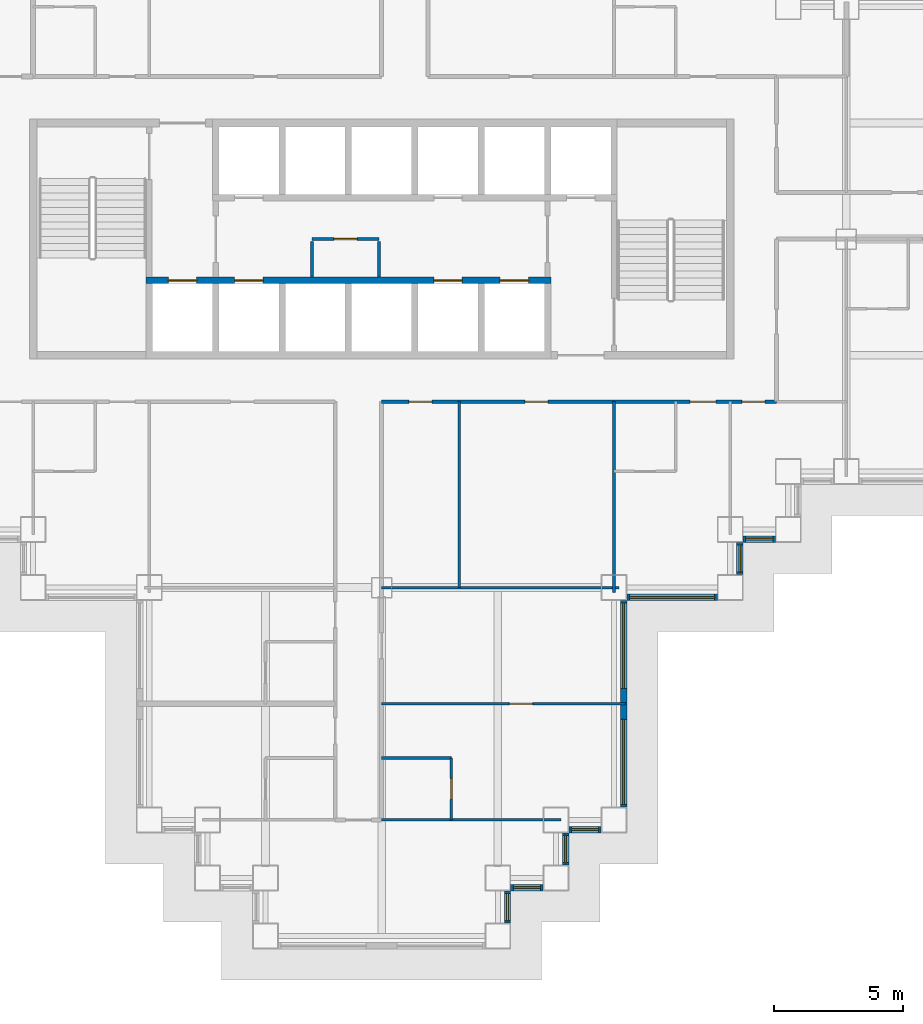
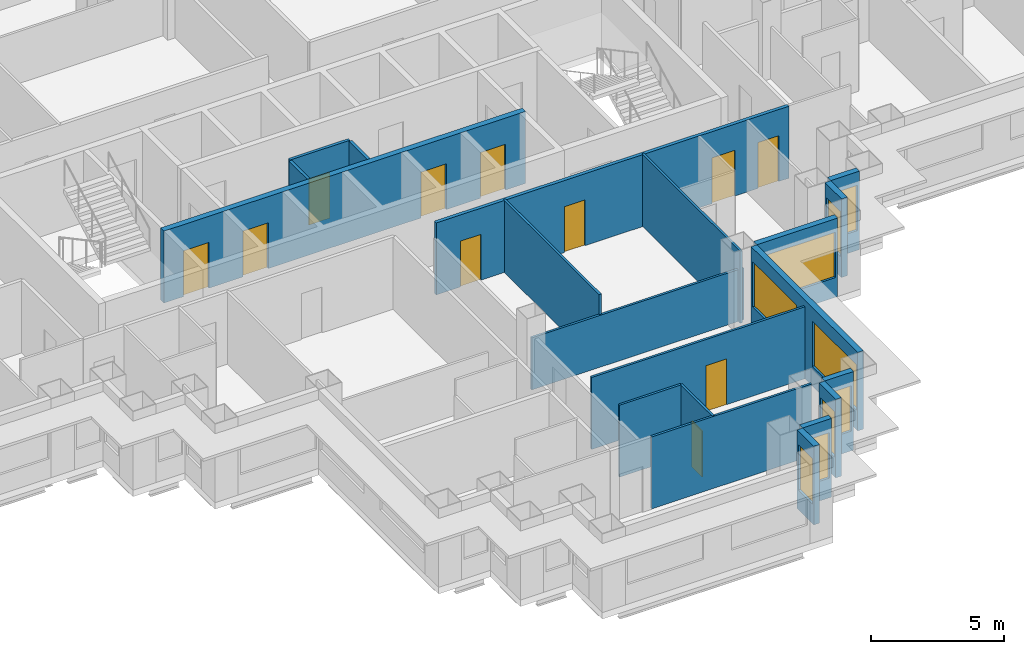
# One storey, part 5 of 14: 20 walls, 11 doors, 9 windows, 20 openings.
"""IFC4 building model written with IfcOpenShell, lengths in metres."""

from ifc_helpers import new_model, si_unit, direction, frame, frame_2d, origin, place, context, subcontext, project, spatial, rectangle, extrude, material, layer, layer_set, type_object, element, fill, save


model = new_model("IFC4")

# Units and contexts
model_context = context("Model", 3, precision=1e-05, world=origin(), true_north=direction((0.0, 1.0)))
body_context = subcontext(model_context, "Body", "Model", "MODEL_VIEW")
ifc_project = project(units=[si_unit("LENGTHUNIT", "METRE"), si_unit("AREAUNIT", "SQUARE_METRE"), si_unit("VOLUMEUNIT", "CUBIC_METRE"), si_unit("PLANEANGLEUNIT", "RADIAN"), si_unit("MASSUNIT", "GRAM", prefix="KILO")], contexts=[model_context])

# Site, building, storey
site_placement = place(None, origin())
site = spatial("IfcSite", under=ifc_project, at=site_placement, CompositionType="ELEMENT")
building_placement = place(site_placement, origin())
building = spatial("IfcBuilding", under=site, at=building_placement, Name="Caravel Reach Hotel and Residences", CompositionType="ELEMENT")
storey_placement = place(building_placement, frame((0.0, 0.0, 56.39990234375)))
storey = spatial("IfcBuildingStorey", under=building, at=storey_placement, Name="L12", CompositionType="ELEMENT", Elevation=56.39990234375)

# Wall
ifc_material_1 = material(Name="Gypsum board on steel stud", Category="steel")
ifc_layer_1 = layer(ifc_material_1, 0.10009765625)
ifc_layer_set_1 = layer_set([ifc_layer_1], Name="Bathroom pod wall 100 mm")
wall_type_1 = type_object("IfcWallType", Name="Bathroom pod wall 100 mm", PredefinedType="PARTITIONING", material=ifc_layer_set_1)
wall_1_placement = place(storey_placement, frame((31.5, 6.89990234375, 0.0), z_axis=(0.0, 0.0, 1.0), x_axis=(1.0, 0.0, 0.0)))
element("IfcWall", 1, at=wall_1_placement, inside=storey, type_object=wall_type_1, Name="L12 wall w087", PredefinedType="PARTITIONING", context=body_context, shape_type="SweptSolid", body=[
    extrude(rectangle(XDim=2.699951171875, YDim=0.10009765625, at=frame_2d((1.35009765625, 0.0))), origin(), (0.0, 0.0, 1.0), 3.300048828125),
])

# Wall, opening, door
wall_2_placement = place(storey_placement, frame((34.199951171875, 4.5, 0.0), z_axis=(0.0, 0.0, 1.0), x_axis=(0.0, 1.0, 0.0)))
wall_2 = element("IfcWall", 2, at=wall_2_placement, inside=storey, type_object=wall_type_1, Name="L12 wall w095", PredefinedType="PARTITIONING", context=body_context, shape_type="SweptSolid", body=[
    extrude(rectangle(XDim=2.39990234375, YDim=0.10009765625, at=frame_2d((1.199951171875, 0.0))), origin(), (0.0, 0.0, 1.0), 3.300048828125),
])
opening_1_placement = place(wall_2_placement, frame((0.800048828125, 0.0, 0.0)))
opening_1 = element("IfcOpeningElement", 3, at=opening_1_placement, cuts=wall_2, Name="Opening D12-036", PredefinedType="OPENING", context=body_context, shape_type="SweptSolid", body=[
    extrude(rectangle(XDim=0.800048828125, YDim=2.10009765625, at=frame_2d((0.39990234375, 1.050048828125))), frame((0.0, 0.06005859375, 0.0), z_axis=(0.0, -1.0, 0.0), x_axis=(1.0, 0.0, 0.0)), (0.0, 0.0, 1.0), 0.1201171875),
])
ifc_material_2 = material(Name="Timber and steel door leaf", Category="steel")
door_type_1 = type_object("IfcDoorType", Name="Bathroom door 800 x 2100", OperationType="SINGLE_SWING_LEFT", PredefinedType="DOOR", material=ifc_material_2)
door_1_placement = place(opening_1_placement, origin())
door_1 = element("IfcDoor", 4, at=door_1_placement, inside=storey, type_object=door_type_1, Name="door D12-036", OperationType="SINGLE_SWING_RIGHT", OverallHeight=2.10009765625, OverallWidth=0.800048828125, PredefinedType="DOOR", context=body_context, shape_type="SweptSolid", body=[
    extrude(rectangle(XDim=0.800048828125, YDim=2.10009765625, at=frame_2d((0.39990234375, 1.050048828125))), frame((0.0, 0.02490234375, 0.0), z_axis=(0.0, -1.0, 0.0), x_axis=(1.0, 0.0, 0.0)), (0.0, 0.0, 1.0), 0.050048828125),
])
fill(opening_1, door_1)

# Wall, openings, doors
ifc_material_3 = material(Name="Gypsum board on steel stud, fire-rated", Category="steel")
ifc_layer_2 = layer(ifc_material_3, 0.14990234375)
ifc_layer_set_2 = layer_set([ifc_layer_2], Name="Corridor wall 150 mm EI 60")
wall_type_2 = type_object("IfcWallType", Name="Corridor wall 150 mm EI 60", PredefinedType="PARTITIONING", material=ifc_layer_set_2)
wall_3_placement = place(storey_placement, frame((31.5, 20.699951171875, 0.0), z_axis=(0.0, 0.0, 1.0), x_axis=(1.0, 0.0, 0.0)))
wall_3 = element("IfcWall", 5, at=wall_3_placement, inside=storey, type_object=wall_type_2, Name="L12 wall w004", PredefinedType="PARTITIONING", context=body_context, shape_type="SweptSolid", body=[
    extrude(rectangle(XDim=15.300048828125, YDim=0.14990234375, at=frame_2d((7.64990234375, 0.0))), origin(), (0.0, 0.0, 1.0), 3.300048828125),
])
opening_2_placement = place(wall_3_placement, frame((11.949951171875, 0.0, 0.0)))
opening_2 = element("IfcOpeningElement", 6, at=opening_2_placement, cuts=wall_3, Name="Opening D12-049", PredefinedType="OPENING", context=body_context, shape_type="SweptSolid", body=[
    extrude(rectangle(XDim=1.0, YDim=2.10009765625, at=frame_2d((0.5, 1.050048828125))), frame((0.0, 0.0849609375, 0.0), z_axis=(0.0, -1.0, 0.0), x_axis=(1.0, 0.0, 0.0)), (0.0, 0.0, 1.0), 0.169921875),
])
opening_3_placement = place(wall_3_placement, frame((13.949951171875, 0.0, 0.0)))
opening_3 = element("IfcOpeningElement", 7, at=opening_3_placement, cuts=wall_3, Name="Opening D12-051", PredefinedType="OPENING", context=body_context, shape_type="SweptSolid", body=[
    extrude(rectangle(XDim=0.89990234375, YDim=2.10009765625, at=frame_2d((0.449951171875, 1.050048828125))), frame((0.0, 0.0849609375, 0.0), z_axis=(0.0, -1.0, 0.0), x_axis=(1.0, 0.0, 0.0)), (0.0, 0.0, 1.0), 0.169921875),
])
opening_4_placement = place(wall_3_placement, frame((1.050048828125, 0.0, 0.0)))
opening_4 = element("IfcOpeningElement", 8, at=opening_4_placement, cuts=wall_3, Name="Opening D12-055", PredefinedType="OPENING", context=body_context, shape_type="SweptSolid", body=[
    extrude(rectangle(XDim=0.89990234375, YDim=2.10009765625, at=frame_2d((0.449951171875, 1.050048828125))), frame((0.0, 0.0849609375, 0.0), z_axis=(0.0, -1.0, 0.0), x_axis=(1.0, 0.0, 0.0)), (0.0, 0.0, 1.0), 0.169921875),
])
opening_5_placement = place(wall_3_placement, frame((5.550048828125, 0.0, 0.0)))
opening_5 = element("IfcOpeningElement", 9, at=opening_5_placement, cuts=wall_3, Name="Opening D12-056", PredefinedType="OPENING", context=body_context, shape_type="SweptSolid", body=[
    extrude(rectangle(XDim=0.89990234375, YDim=2.10009765625, at=frame_2d((0.449951171875, 1.050048828125))), frame((0.0, 0.0849609375, 0.0), z_axis=(0.0, -1.0, 0.0), x_axis=(1.0, 0.0, 0.0)), (0.0, 0.0, 1.0), 0.169921875),
])
ifc_material_4 = material(Name="Timber and steel door leaf", Category="steel")
door_type_2 = type_object("IfcDoorType", Name="Door 900 x 2100 timber", OperationType="SINGLE_SWING_LEFT", PredefinedType="DOOR", material=ifc_material_4)
door_2_placement = place(opening_3_placement, origin())
door_2 = element("IfcDoor", 10, at=door_2_placement, inside=storey, type_object=door_type_2, Name="door D12-051", OperationType="SINGLE_SWING_LEFT", OverallHeight=2.10009765625, OverallWidth=0.89990234375, PredefinedType="DOOR", context=body_context, shape_type="SweptSolid", body=[
    extrude(rectangle(XDim=0.89990234375, YDim=2.10009765625, at=frame_2d((0.449951171875, 1.050048828125))), frame((0.0, 0.02490234375, 0.0), z_axis=(0.0, -1.0, 0.0), x_axis=(1.0, 0.0, 0.0)), (0.0, 0.0, 1.0), 0.050048828125),
])
fill(opening_3, door_2)
door_3_placement = place(opening_4_placement, origin())
door_3 = element("IfcDoor", 11, at=door_3_placement, inside=storey, type_object=door_type_2, Name="door D12-055", OperationType="SINGLE_SWING_RIGHT", OverallHeight=2.10009765625, OverallWidth=0.89990234375, PredefinedType="DOOR", context=body_context, shape_type="SweptSolid", body=[
    extrude(rectangle(XDim=0.89990234375, YDim=2.10009765625, at=frame_2d((0.449951171875, 1.050048828125))), frame((0.0, 0.02490234375, 0.0), z_axis=(0.0, -1.0, 0.0), x_axis=(1.0, 0.0, 0.0)), (0.0, 0.0, 1.0), 0.050048828125),
])
fill(opening_4, door_3)
door_4_placement = place(opening_5_placement, origin())
door_4 = element("IfcDoor", 12, at=door_4_placement, inside=storey, type_object=door_type_2, Name="door D12-056", OperationType="SINGLE_SWING_LEFT", OverallHeight=2.10009765625, OverallWidth=0.89990234375, PredefinedType="DOOR", context=body_context, shape_type="SweptSolid", body=[
    extrude(rectangle(XDim=0.89990234375, YDim=2.10009765625, at=frame_2d((0.449951171875, 1.050048828125))), frame((0.0, 0.02490234375, 0.0), z_axis=(0.0, -1.0, 0.0), x_axis=(1.0, 0.0, 0.0)), (0.0, 0.0, 1.0), 0.050048828125),
])
fill(opening_5, door_4)
ifc_material_5 = material(Name="Steel fire door leaf", Category="steel")
door_type_3 = type_object("IfcDoorType", Name="Guest room door 1000 x 2100 EI 30", OperationType="SINGLE_SWING_LEFT", PredefinedType="DOOR", material=ifc_material_5)
door_5_placement = place(opening_2_placement, origin())
door_5 = element("IfcDoor", 13, at=door_5_placement, inside=storey, type_object=door_type_3, Name="door D12-049", OperationType="SINGLE_SWING_RIGHT", OverallHeight=2.10009765625, OverallWidth=1.0, PredefinedType="DOOR", context=body_context, shape_type="SweptSolid", body=[
    extrude(rectangle(XDim=1.0, YDim=2.10009765625, at=frame_2d((0.5, 1.050048828125))), frame((0.0, 0.02490234375, 0.0), z_axis=(0.0, -1.0, 0.0), x_axis=(1.0, 0.0, 0.0)), (0.0, 0.0, 1.0), 0.050048828125),
])
fill(opening_2, door_5)

# Wall, opening, window
ifc_material_6 = material(Name="Insulated rainscreen wall, aluminium cladding", Category="aluminium")
ifc_layer_3 = layer(ifc_material_6, 0.25)
ifc_layer_set_3 = layer_set([ifc_layer_3], Name="EW1 Tower rainscreen wall")
wall_type_3 = type_object("IfcWallType", Name="EW1 Tower rainscreen wall", PredefinedType="SOLIDWALL", material=ifc_layer_set_3)
wall_4_placement = place(storey_placement, frame((36.375, 0.5, 0.0), z_axis=(0.0, 0.0, 1.0), x_axis=(0.0, 1.0, 0.0)))
wall_4 = element("IfcWall", 14, at=wall_4_placement, inside=storey, type_object=wall_type_3, Name="External wall L12 E6.1", PredefinedType="SOLIDWALL", context=body_context, shape_type="SweptSolid", body=[
    extrude(rectangle(XDim=1.25, YDim=0.25, at=frame_2d((0.625, 0.0))), origin(), (0.0, 0.0, 1.0), 3.60009765625),
])
opening_6_placement = place(wall_4_placement, frame((0.10009765625, 0.0, 0.89990234375)))
opening_6 = element("IfcOpeningElement", 15, at=opening_6_placement, cuts=wall_4, Name="Opening WN3", PredefinedType="OPENING", context=body_context, shape_type="SweptSolid", body=[
    extrude(rectangle(XDim=1.050048828125, YDim=2.080078125, at=frame_2d((0.52490234375, 1.0400390625))), frame((0.0, 0.135009765625, 0.0), z_axis=(0.0, -1.0, 0.0), x_axis=(1.0, 0.0, 0.0)), (0.0, 0.0, 1.0), 0.27001953125),
])
ifc_material_7 = material(Name="Dark low-e glazing in black aluminium frame", Category="aluminium")
window_type_1 = type_object("IfcWindowType", Name="Hotel suite corner window 1050 x 2080", PartitioningType="SINGLE_PANEL", PredefinedType="WINDOW", material=ifc_material_7)
window_1_placement = place(opening_6_placement, origin())
window_1 = element("IfcWindow", 16, at=window_1_placement, inside=storey, type_object=window_type_1, Name="Window L12 E6.1.1", OverallHeight=2.080078125, OverallWidth=1.050048828125, PartitioningType="SINGLE_PANEL", PredefinedType="WINDOW", context=body_context, shape_type="SweptSolid", body=[
    extrude(rectangle(XDim=1.050048828125, YDim=2.080078125, at=frame_2d((0.52490234375, 1.0400390625))), frame((0.0, 0.030029296875, 0.0), z_axis=(0.0, -1.0, 0.0), x_axis=(1.0, 0.0, 0.0)), (0.0, 0.0, 1.0), 0.06005859375),
])
fill(opening_6, window_1)

wall_5_placement = place(storey_placement, frame((36.5, 1.875, 0.0), z_axis=(0.0, 0.0, 1.0), x_axis=(1.0, 0.0, 0.0)))
wall_5 = element("IfcWall", 17, at=wall_5_placement, inside=storey, type_object=wall_type_3, Name="External wall L12 S7.1", PredefinedType="SOLIDWALL", context=body_context, shape_type="SweptSolid", body=[
    extrude(rectangle(XDim=1.25, YDim=0.25, at=frame_2d((0.625, 0.0))), origin(), (0.0, 0.0, 1.0), 3.60009765625),
])
opening_7_placement = place(wall_5_placement, frame((0.10009765625, 0.0, 0.89990234375)))
opening_7 = element("IfcOpeningElement", 18, at=opening_7_placement, cuts=wall_5, Name="Opening WN3", PredefinedType="OPENING", context=body_context, shape_type="SweptSolid", body=[
    extrude(rectangle(XDim=1.050048828125, YDim=2.080078125, at=frame_2d((0.52490234375, 1.0400390625))), frame((0.0, 0.135009765625, 0.0), z_axis=(0.0, -1.0, 0.0), x_axis=(1.0, 0.0, 0.0)), (0.0, 0.0, 1.0), 0.27001953125),
])
window_2_placement = place(opening_7_placement, origin())
window_2 = element("IfcWindow", 19, at=window_2_placement, inside=storey, type_object=window_type_1, Name="Window L12 S7.1.1", OverallHeight=2.080078125, OverallWidth=1.050048828125, PartitioningType="SINGLE_PANEL", PredefinedType="WINDOW", context=body_context, shape_type="SweptSolid", body=[
    extrude(rectangle(XDim=1.050048828125, YDim=2.080078125, at=frame_2d((0.52490234375, 1.0400390625))), frame((0.0, 0.030029296875, 0.0), z_axis=(0.0, -1.0, 0.0), x_axis=(1.0, 0.0, 0.0)), (0.0, 0.0, 1.0), 0.06005859375),
])
fill(opening_7, window_2)

wall_6_placement = place(storey_placement, frame((38.625, 2.75, 0.0), z_axis=(0.0, 0.0, 1.0), x_axis=(0.0, 1.0, 0.0)))
wall_6 = element("IfcWall", 20, at=wall_6_placement, inside=storey, type_object=wall_type_3, Name="External wall L12 E8.1", PredefinedType="SOLIDWALL", context=body_context, shape_type="SweptSolid", body=[
    extrude(rectangle(XDim=1.25, YDim=0.25, at=frame_2d((0.625, 0.0))), origin(), (0.0, 0.0, 1.0), 3.60009765625),
])
opening_8_placement = place(wall_6_placement, frame((0.10009765625, 0.0, 0.89990234375)))
opening_8 = element("IfcOpeningElement", 21, at=opening_8_placement, cuts=wall_6, Name="Opening WN3", PredefinedType="OPENING", context=body_context, shape_type="SweptSolid", body=[
    extrude(rectangle(XDim=1.050048828125, YDim=2.080078125, at=frame_2d((0.52490234375, 1.0400390625))), frame((0.0, 0.135009765625, 0.0), z_axis=(0.0, -1.0, 0.0), x_axis=(1.0, 0.0, 0.0)), (0.0, 0.0, 1.0), 0.27001953125),
])
window_3_placement = place(opening_8_placement, origin())
window_3 = element("IfcWindow", 22, at=window_3_placement, inside=storey, type_object=window_type_1, Name="Window L12 E8.1.1", OverallHeight=2.080078125, OverallWidth=1.050048828125, PartitioningType="SINGLE_PANEL", PredefinedType="WINDOW", context=body_context, shape_type="SweptSolid", body=[
    extrude(rectangle(XDim=1.050048828125, YDim=2.080078125, at=frame_2d((0.52490234375, 1.0400390625))), frame((0.0, 0.030029296875, 0.0), z_axis=(0.0, -1.0, 0.0), x_axis=(1.0, 0.0, 0.0)), (0.0, 0.0, 1.0), 0.06005859375),
])
fill(opening_8, window_3)

wall_7_placement = place(storey_placement, frame((38.75, 4.125, 0.0), z_axis=(0.0, 0.0, 1.0), x_axis=(1.0, 0.0, 0.0)))
wall_7 = element("IfcWall", 23, at=wall_7_placement, inside=storey, type_object=wall_type_3, Name="External wall L12 S9.1", PredefinedType="SOLIDWALL", context=body_context, shape_type="SweptSolid", body=[
    extrude(rectangle(XDim=1.25, YDim=0.25, at=frame_2d((0.625, 0.0))), origin(), (0.0, 0.0, 1.0), 3.60009765625),
])
opening_9_placement = place(wall_7_placement, frame((0.10009765625, 0.0, 0.89990234375)))
opening_9 = element("IfcOpeningElement", 24, at=opening_9_placement, cuts=wall_7, Name="Opening WN3", PredefinedType="OPENING", context=body_context, shape_type="SweptSolid", body=[
    extrude(rectangle(XDim=1.050048828125, YDim=2.080078125, at=frame_2d((0.52490234375, 1.0400390625))), frame((0.0, 0.135009765625, 0.0), z_axis=(0.0, -1.0, 0.0), x_axis=(1.0, 0.0, 0.0)), (0.0, 0.0, 1.0), 0.27001953125),
])
window_4_placement = place(opening_9_placement, origin())
window_4 = element("IfcWindow", 25, at=window_4_placement, inside=storey, type_object=window_type_1, Name="Window L12 S9.1.1", OverallHeight=2.080078125, OverallWidth=1.050048828125, PartitioningType="SINGLE_PANEL", PredefinedType="WINDOW", context=body_context, shape_type="SweptSolid", body=[
    extrude(rectangle(XDim=1.050048828125, YDim=2.080078125, at=frame_2d((0.52490234375, 1.0400390625))), frame((0.0, 0.030029296875, 0.0), z_axis=(0.0, -1.0, 0.0), x_axis=(1.0, 0.0, 0.0)), (0.0, 0.0, 1.0), 0.06005859375),
])
fill(opening_9, window_4)

# Wall, openings, windows
wall_8_placement = place(storey_placement, frame((40.875, 5.0, 0.0), z_axis=(0.0, 0.0, 1.0), x_axis=(0.0, 1.0, 0.0)))
wall_8 = element("IfcWall", 26, at=wall_8_placement, inside=storey, type_object=wall_type_3, Name="External wall L12 E10.1", PredefinedType="SOLIDWALL", context=body_context, shape_type="SweptSolid", body=[
    extrude(rectangle(XDim=8.0, YDim=0.25, at=frame_2d((4.0, 0.0))), origin(), (0.0, 0.0, 1.0), 3.60009765625),
])
opening_10_placement = place(wall_8_placement, frame((0.10009765625, 0.0, 0.89990234375)))
opening_10 = element("IfcOpeningElement", 27, at=opening_10_placement, cuts=wall_8, Name="Opening WN4", PredefinedType="OPENING", context=body_context, shape_type="SweptSolid", body=[
    extrude(rectangle(XDim=3.300048828125, YDim=2.080078125, at=frame_2d((1.64990234375, 1.0400390625))), frame((0.0, 0.135009765625, 0.0), z_axis=(0.0, -1.0, 0.0), x_axis=(1.0, 0.0, 0.0)), (0.0, 0.0, 1.0), 0.27001953125),
])
opening_11_placement = place(wall_8_placement, frame((4.60009765625, 0.0, 0.89990234375)))
opening_11 = element("IfcOpeningElement", 28, at=opening_11_placement, cuts=wall_8, Name="Opening WN4", PredefinedType="OPENING", context=body_context, shape_type="SweptSolid", body=[
    extrude(rectangle(XDim=3.300048828125, YDim=2.080078125, at=frame_2d((1.64990234375, 1.0400390625))), frame((0.0, 0.135009765625, 0.0), z_axis=(0.0, -1.0, 0.0), x_axis=(1.0, 0.0, 0.0)), (0.0, 0.0, 1.0), 0.27001953125),
])
ifc_material_8 = material(Name="Dark low-e glazing in black aluminium frame", Category="aluminium")
window_type_2 = type_object("IfcWindowType", Name="Hotel guest room window 3300 x 2080", PartitioningType="SINGLE_PANEL", PredefinedType="WINDOW", material=ifc_material_8)
window_5_placement = place(opening_10_placement, origin())
window_5 = element("IfcWindow", 29, at=window_5_placement, inside=storey, type_object=window_type_2, Name="Window L12 E10.1.1", OverallHeight=2.080078125, OverallWidth=3.300048828125, PartitioningType="SINGLE_PANEL", PredefinedType="WINDOW", context=body_context, shape_type="SweptSolid", body=[
    extrude(rectangle(XDim=3.300048828125, YDim=2.080078125, at=frame_2d((1.64990234375, 1.0400390625))), frame((0.0, 0.030029296875, 0.0), z_axis=(0.0, -1.0, 0.0), x_axis=(1.0, 0.0, 0.0)), (0.0, 0.0, 1.0), 0.06005859375),
])
fill(opening_10, window_5)
window_6_placement = place(opening_11_placement, origin())
window_6 = element("IfcWindow", 30, at=window_6_placement, inside=storey, type_object=window_type_2, Name="Window L12 E10.1.2", OverallHeight=2.080078125, OverallWidth=3.300048828125, PartitioningType="SINGLE_PANEL", PredefinedType="WINDOW", context=body_context, shape_type="SweptSolid", body=[
    extrude(rectangle(XDim=3.300048828125, YDim=2.080078125, at=frame_2d((1.64990234375, 1.0400390625))), frame((0.0, 0.030029296875, 0.0), z_axis=(0.0, -1.0, 0.0), x_axis=(1.0, 0.0, 0.0)), (0.0, 0.0, 1.0), 0.06005859375),
])
fill(opening_11, window_6)

# Wall, opening, window
wall_9_placement = place(storey_placement, frame((41.0, 13.125, 0.0), z_axis=(0.0, 0.0, 1.0), x_axis=(1.0, 0.0, 0.0)))
wall_9 = element("IfcWall", 31, at=wall_9_placement, inside=storey, type_object=wall_type_3, Name="External wall L12 S11.1", PredefinedType="SOLIDWALL", context=body_context, shape_type="SweptSolid", body=[
    extrude(rectangle(XDim=3.5, YDim=0.25, at=frame_2d((1.75, 0.0))), origin(), (0.0, 0.0, 1.0), 3.60009765625),
])
opening_12_placement = place(wall_9_placement, frame((0.10009765625, 0.0, 0.89990234375)))
opening_12 = element("IfcOpeningElement", 32, at=opening_12_placement, cuts=wall_9, Name="Opening WN4", PredefinedType="OPENING", context=body_context, shape_type="SweptSolid", body=[
    extrude(rectangle(XDim=3.300048828125, YDim=2.080078125, at=frame_2d((1.64990234375, 1.0400390625))), frame((0.0, 0.135009765625, 0.0), z_axis=(0.0, -1.0, 0.0), x_axis=(1.0, 0.0, 0.0)), (0.0, 0.0, 1.0), 0.27001953125),
])
window_7_placement = place(opening_12_placement, origin())
window_7 = element("IfcWindow", 33, at=window_7_placement, inside=storey, type_object=window_type_2, Name="Window L12 S11.1.1", OverallHeight=2.080078125, OverallWidth=3.300048828125, PartitioningType="SINGLE_PANEL", PredefinedType="WINDOW", context=body_context, shape_type="SweptSolid", body=[
    extrude(rectangle(XDim=3.300048828125, YDim=2.080078125, at=frame_2d((1.64990234375, 1.0400390625))), frame((0.0, 0.030029296875, 0.0), z_axis=(0.0, -1.0, 0.0), x_axis=(1.0, 0.0, 0.0)), (0.0, 0.0, 1.0), 0.06005859375),
])
fill(opening_12, window_7)

wall_10_placement = place(storey_placement, frame((45.375, 14.0, 0.0), z_axis=(0.0, 0.0, 1.0), x_axis=(0.0, 1.0, 0.0)))
wall_10 = element("IfcWall", 34, at=wall_10_placement, inside=storey, type_object=wall_type_3, Name="External wall L12 E12.1", PredefinedType="SOLIDWALL", context=body_context, shape_type="SweptSolid", body=[
    extrude(rectangle(XDim=1.25, YDim=0.25, at=frame_2d((0.625, 0.0))), origin(), (0.0, 0.0, 1.0), 3.60009765625),
])
opening_13_placement = place(wall_10_placement, frame((0.10009765625, 0.0, 0.89990234375)))
opening_13 = element("IfcOpeningElement", 35, at=opening_13_placement, cuts=wall_10, Name="Opening WN3", PredefinedType="OPENING", context=body_context, shape_type="SweptSolid", body=[
    extrude(rectangle(XDim=1.050048828125, YDim=2.080078125, at=frame_2d((0.52490234375, 1.0400390625))), frame((0.0, 0.135009765625, 0.0), z_axis=(0.0, -1.0, 0.0), x_axis=(1.0, 0.0, 0.0)), (0.0, 0.0, 1.0), 0.27001953125),
])
window_8_placement = place(opening_13_placement, origin())
window_8 = element("IfcWindow", 36, at=window_8_placement, inside=storey, type_object=window_type_1, Name="Window L12 E12.1.1", OverallHeight=2.080078125, OverallWidth=1.050048828125, PartitioningType="SINGLE_PANEL", PredefinedType="WINDOW", context=body_context, shape_type="SweptSolid", body=[
    extrude(rectangle(XDim=1.050048828125, YDim=2.080078125, at=frame_2d((0.52490234375, 1.0400390625))), frame((0.0, 0.030029296875, 0.0), z_axis=(0.0, -1.0, 0.0), x_axis=(1.0, 0.0, 0.0)), (0.0, 0.0, 1.0), 0.06005859375),
])
fill(opening_13, window_8)

wall_11_placement = place(storey_placement, frame((45.5, 15.375, 0.0), z_axis=(0.0, 0.0, 1.0), x_axis=(1.0, 0.0, 0.0)))
wall_11 = element("IfcWall", 37, at=wall_11_placement, inside=storey, type_object=wall_type_3, Name="External wall L12 S13.1", PredefinedType="SOLIDWALL", context=body_context, shape_type="SweptSolid", body=[
    extrude(rectangle(XDim=1.25, YDim=0.25, at=frame_2d((0.625, 0.0))), origin(), (0.0, 0.0, 1.0), 3.60009765625),
])
opening_14_placement = place(wall_11_placement, frame((0.10009765625, 0.0, 0.89990234375)))
opening_14 = element("IfcOpeningElement", 38, at=opening_14_placement, cuts=wall_11, Name="Opening WN3", PredefinedType="OPENING", context=body_context, shape_type="SweptSolid", body=[
    extrude(rectangle(XDim=1.050048828125, YDim=2.080078125, at=frame_2d((0.52490234375, 1.0400390625))), frame((0.0, 0.135009765625, 0.0), z_axis=(0.0, -1.0, 0.0), x_axis=(1.0, 0.0, 0.0)), (0.0, 0.0, 1.0), 0.27001953125),
])
window_9_placement = place(opening_14_placement, origin())
window_9 = element("IfcWindow", 39, at=window_9_placement, inside=storey, type_object=window_type_1, Name="Window L12 S13.1.1", OverallHeight=2.080078125, OverallWidth=1.050048828125, PartitioningType="SINGLE_PANEL", PredefinedType="WINDOW", context=body_context, shape_type="SweptSolid", body=[
    extrude(rectangle(XDim=1.050048828125, YDim=2.080078125, at=frame_2d((0.52490234375, 1.0400390625))), frame((0.0, 0.030029296875, 0.0), z_axis=(0.0, -1.0, 0.0), x_axis=(1.0, 0.0, 0.0)), (0.0, 0.0, 1.0), 0.06005859375),
])
fill(opening_14, window_9)

# Walls
ifc_material_9 = material(Name="Gypsum board on steel stud", Category="steel")
ifc_layer_4 = layer(ifc_material_9, 0.10009765625)
ifc_layer_set_4 = layer_set([ifc_layer_4], Name="Partition 100 mm")
wall_type_4 = type_object("IfcWallType", Name="Partition 100 mm", PredefinedType="PARTITIONING", material=ifc_layer_set_4)
wall_12_placement = place(storey_placement, frame((31.5, 13.5, 0.0), z_axis=(0.0, 0.0, 1.0), x_axis=(1.0, 0.0, 0.0)))
element("IfcWall", 40, at=wall_12_placement, inside=storey, type_object=wall_type_4, Name="L12 wall w041", PredefinedType="PARTITIONING", context=body_context, shape_type="SweptSolid", body=[
    extrude(rectangle(XDim=9.18994140625, YDim=0.10009765625, at=frame_2d((4.594970703125, 0.0))), origin(), (0.0, 0.0, 1.0), 2.380126953125),
])
wall_13_placement = place(storey_placement, frame((31.5, 4.5, 0.0), z_axis=(0.0, 0.0, 1.0), x_axis=(1.0, 0.0, 0.0)))
element("IfcWall", 41, at=wall_13_placement, inside=storey, type_object=wall_type_4, Name="L12 wall w047", PredefinedType="PARTITIONING", context=body_context, shape_type="SweptSolid", body=[
    extrude(rectangle(XDim=6.93994140625, YDim=0.10009765625, at=frame_2d((3.469970703125, 0.0))), origin(), (0.0, 0.0, 1.0), 3.300048828125),
])

# Wall, opening, door
wall_14_placement = place(storey_placement, frame((31.5, 9.0, 0.0), z_axis=(0.0, 0.0, 1.0), x_axis=(1.0, 0.0, 0.0)))
wall_14 = element("IfcWall", 42, at=wall_14_placement, inside=storey, type_object=wall_type_4, Name="L12 wall w052", PredefinedType="PARTITIONING", context=body_context, shape_type="SweptSolid", body=[
    extrude(rectangle(XDim=9.43994140625, YDim=0.10009765625, at=frame_2d((4.719970703125, 0.0))), origin(), (0.0, 0.0, 1.0), 3.300048828125),
])
opening_15_placement = place(wall_14_placement, frame((4.949951171875, 0.0, 0.0)))
opening_15 = element("IfcOpeningElement", 43, at=opening_15_placement, cuts=wall_14, Name="Opening D12-035", PredefinedType="OPENING", context=body_context, shape_type="SweptSolid", body=[
    extrude(rectangle(XDim=0.89990234375, YDim=2.10009765625, at=frame_2d((0.449951171875, 1.050048828125))), frame((0.0, 0.06005859375, 0.0), z_axis=(0.0, -1.0, 0.0), x_axis=(1.0, 0.0, 0.0)), (0.0, 0.0, 1.0), 0.1201171875),
])
door_6_placement = place(opening_15_placement, origin())
door_6 = element("IfcDoor", 44, at=door_6_placement, inside=storey, type_object=door_type_2, Name="door D12-035", OperationType="SINGLE_SWING_RIGHT", OverallHeight=2.10009765625, OverallWidth=0.89990234375, PredefinedType="DOOR", context=body_context, shape_type="SweptSolid", body=[
    extrude(rectangle(XDim=0.89990234375, YDim=2.10009765625, at=frame_2d((0.449951171875, 1.050048828125))), frame((0.0, 0.02490234375, 0.0), z_axis=(0.0, -1.0, 0.0), x_axis=(1.0, 0.0, 0.0)), (0.0, 0.0, 1.0), 0.050048828125),
])
fill(opening_15, door_6)

# Walls
wall_15_placement = place(storey_placement, frame((34.5, 13.5, 0.0), z_axis=(0.0, 0.0, 1.0), x_axis=(0.0, 1.0, 0.0)))
element("IfcWall", 45, at=wall_15_placement, inside=storey, type_object=wall_type_4, Name="L12 wall w059", PredefinedType="PARTITIONING", context=body_context, shape_type="SweptSolid", body=[
    extrude(rectangle(XDim=7.199951171875, YDim=0.10009765625, at=frame_2d((3.60009765625, 0.0))), origin(), (0.0, 0.0, 1.0), 3.300048828125),
])
wall_16_placement = place(storey_placement, frame((40.5, 13.31005859375, 0.0), z_axis=(0.0, 0.0, 1.0), x_axis=(0.0, 1.0, 0.0)))
element("IfcWall", 46, at=wall_16_placement, inside=storey, type_object=wall_type_4, Name="L12 wall w061", PredefinedType="PARTITIONING", context=body_context, shape_type="SweptSolid", body=[
    extrude(rectangle(XDim=7.389892578125, YDim=0.10009765625, at=frame_2d((3.69482421875, 0.0))), origin(), (0.0, 0.0, 1.0), 3.300048828125),
])

# Wall, opening, door
ifc_material_10 = material(Name="Autoclaved aerated block wall")
ifc_layer_5 = layer(ifc_material_10, 0.125)
ifc_layer_set_5 = layer_set([ifc_layer_5], Name="Riser wall 125 mm EI 60")
wall_type_5 = type_object("IfcWallType", Name="Riser wall 125 mm EI 60", PredefinedType="PARTITIONING", material=ifc_layer_set_5)
wall_17_placement = place(storey_placement, frame((28.800048828125, 27.0, 0.0), z_axis=(0.0, 0.0, 1.0), x_axis=(1.0, 0.0, 0.0)))
wall_17 = element("IfcWall", 47, at=wall_17_placement, inside=storey, type_object=wall_type_5, Name="L12 service room wall S1", PredefinedType="PARTITIONING", context=body_context, shape_type="SweptSolid", body=[
    extrude(rectangle(XDim=2.599853515625, YDim=0.125, at=frame_2d((1.2998046875, 0.0))), origin(), (0.0, 0.0, 1.0), 3.300048828125),
])
opening_16_placement = place(wall_17_placement, frame((0.85009765625, 0.0, 0.0)))
opening_16 = element("IfcOpeningElement", 48, at=opening_16_placement, cuts=wall_17, Name="Opening D12-008", PredefinedType="OPENING", context=body_context, shape_type="SweptSolid", body=[
    extrude(rectangle(XDim=0.89990234375, YDim=2.10009765625, at=frame_2d((0.449951171875, 1.050048828125))), frame((0.0, 0.072509765625, 0.0), z_axis=(0.0, -1.0, 0.0), x_axis=(1.0, 0.0, 0.0)), (0.0, 0.0, 1.0), 0.14501953125),
])
ifc_material_11 = material(Name="Steel fire door leaf", Category="steel")
door_type_4 = type_object("IfcDoorType", Name="Riser door 900 x 2100 EI 60", OperationType="SINGLE_SWING_LEFT", PredefinedType="DOOR", material=ifc_material_11)
door_7_placement = place(opening_16_placement, origin())
door_7 = element("IfcDoor", 49, at=door_7_placement, inside=storey, type_object=door_type_4, Name="Service store door", OperationType="SINGLE_SWING_LEFT", OverallHeight=2.10009765625, OverallWidth=0.89990234375, PredefinedType="DOOR", context=body_context, shape_type="SweptSolid", body=[
    extrude(rectangle(XDim=0.89990234375, YDim=2.10009765625, at=frame_2d((0.449951171875, 1.050048828125))), frame((0.0, 0.02490234375, 0.0), z_axis=(0.0, -1.0, 0.0), x_axis=(1.0, 0.0, 0.0)), (0.0, 0.0, 1.0), 0.050048828125),
])
fill(opening_16, door_7)

# Walls
for number, where, z_axis, x_axis, name in (
    (50, (28.800048828125, 25.52490234375, 0.0), (0.0, 0.0, 1.0), (0.0, 1.0, 0.0), "L12 service room partition S1"),
    (51, (31.39990234375, 25.52490234375, 0.0), (0.0, 0.0, 1.0), (0.0, 1.0, 0.0), "L12 service room partition S1"),
):
    element("IfcWall", number, at=place(storey_placement, frame(where, z_axis=z_axis, x_axis=x_axis)), inside=storey, type_object=wall_type_5, Name=name, PredefinedType="PARTITIONING", context=body_context, shape_type="SweptSolid", body=[
        extrude(rectangle(XDim=1.375, YDim=0.125, at=frame_2d((0.6875, 0.0))), origin(), (0.0, 0.0, 1.0), 3.300048828125),
    ])

# Wall, openings, doors
ifc_material_12 = material(Name="Concrete C60", Category="concrete")
ifc_layer_6 = layer(ifc_material_12, 0.25)
ifc_layer_set_6 = layer_set([ifc_layer_6], Name="Shaft wall 250 mm EI 120")
wall_type_6 = type_object("IfcWallType", Name="Shaft wall 250 mm EI 120", PredefinedType="SHEAR", material=ifc_layer_set_6)
wall_18_placement = place(storey_placement, frame((22.375, 25.39990234375, 0.0), z_axis=(0.0, 0.0, 1.0), x_axis=(1.0, 0.0, 0.0)))
wall_18 = element("IfcWall", 52, at=wall_18_placement, inside=storey, type_object=wall_type_6, Name="L12 lobby wall S1", PredefinedType="SHEAR", context=body_context, shape_type="SweptSolid", body=[
    extrude(rectangle(XDim=15.678466796875, YDim=0.25, at=frame_2d((7.83935546875, 0.0))), origin(), (0.0, 0.0, 1.0), 3.300048828125),
])
opening_17_placement = place(wall_18_placement, frame((3.43212890625, 0.0, 0.0)))
opening_17 = element("IfcOpeningElement", 53, at=opening_17_placement, cuts=wall_18, Name="Opening D12-001", PredefinedType="OPENING", context=body_context, shape_type="SweptSolid", body=[
    extrude(rectangle(XDim=1.10009765625, YDim=2.10009765625, at=frame_2d((0.550048828125, 1.050048828125))), frame((0.0, 0.135009765625, 0.0), z_axis=(0.0, -1.0, 0.0), x_axis=(1.0, 0.0, 0.0)), (0.0, 0.0, 1.0), 0.27001953125),
])
opening_18_placement = place(wall_18_placement, frame((11.146484375, 0.0, 0.0)))
opening_18 = element("IfcOpeningElement", 54, at=opening_18_placement, cuts=wall_18, Name="Opening D12-002", PredefinedType="OPENING", context=body_context, shape_type="SweptSolid", body=[
    extrude(rectangle(XDim=1.10009765625, YDim=2.10009765625, at=frame_2d((0.550048828125, 1.050048828125))), frame((0.0, 0.135009765625, 0.0), z_axis=(0.0, -1.0, 0.0), x_axis=(1.0, 0.0, 0.0)), (0.0, 0.0, 1.0), 0.27001953125),
])
opening_19_placement = place(wall_18_placement, frame((13.718017578125, 0.0, 0.0)))
opening_19 = element("IfcOpeningElement", 55, at=opening_19_placement, cuts=wall_18, Name="Opening D12-003", PredefinedType="OPENING", context=body_context, shape_type="SweptSolid", body=[
    extrude(rectangle(XDim=1.10009765625, YDim=2.10009765625, at=frame_2d((0.550048828125, 1.050048828125))), frame((0.0, 0.135009765625, 0.0), z_axis=(0.0, -1.0, 0.0), x_axis=(1.0, 0.0, 0.0)), (0.0, 0.0, 1.0), 0.27001953125),
])
opening_20_placement = place(wall_18_placement, frame((0.860595703125, 0.0, 0.0)))
opening_20 = element("IfcOpeningElement", 56, at=opening_20_placement, cuts=wall_18, Name="Opening D12-006", PredefinedType="OPENING", context=body_context, shape_type="SweptSolid", body=[
    extrude(rectangle(XDim=1.10009765625, YDim=2.10009765625, at=frame_2d((0.550048828125, 1.050048828125))), frame((0.0, 0.135009765625, 0.0), z_axis=(0.0, -1.0, 0.0), x_axis=(1.0, 0.0, 0.0)), (0.0, 0.0, 1.0), 0.27001953125),
])
ifc_material_13 = material(Name="Stainless steel landing door", Category="steel")
door_type_5 = type_object("IfcDoorType", Name="Landing door LD 1100 x 2100 sliding", OperationType="DOUBLE_DOOR_SLIDING", PredefinedType="DOOR", material=ifc_material_13)
door_8_placement = place(opening_17_placement, origin())
door_8 = element("IfcDoor", 57, at=door_8_placement, inside=storey, type_object=door_type_5, Name="LP1 landing door", OperationType="DOUBLE_DOOR_SLIDING", OverallHeight=2.10009765625, OverallWidth=1.10009765625, PredefinedType="DOOR", context=body_context, shape_type="SweptSolid", body=[
    extrude(rectangle(XDim=1.10009765625, YDim=2.10009765625, at=frame_2d((0.550048828125, 1.050048828125))), frame((0.0, 0.02490234375, 0.0), z_axis=(0.0, -1.0, 0.0), x_axis=(1.0, 0.0, 0.0)), (0.0, 0.0, 1.0), 0.050048828125),
])
fill(opening_17, door_8)
door_9_placement = place(opening_18_placement, origin())
door_9 = element("IfcDoor", 58, at=door_9_placement, inside=storey, type_object=door_type_5, Name="LP2 landing door", OperationType="DOUBLE_DOOR_SLIDING", OverallHeight=2.10009765625, OverallWidth=1.10009765625, PredefinedType="DOOR", context=body_context, shape_type="SweptSolid", body=[
    extrude(rectangle(XDim=1.10009765625, YDim=2.10009765625, at=frame_2d((0.550048828125, 1.050048828125))), frame((0.0, 0.02490234375, 0.0), z_axis=(0.0, -1.0, 0.0), x_axis=(1.0, 0.0, 0.0)), (0.0, 0.0, 1.0), 0.050048828125),
])
fill(opening_18, door_9)
door_10_placement = place(opening_19_placement, origin())
door_10 = element("IfcDoor", 59, at=door_10_placement, inside=storey, type_object=door_type_5, Name="LP3 landing door", OperationType="DOUBLE_DOOR_SLIDING", OverallHeight=2.10009765625, OverallWidth=1.10009765625, PredefinedType="DOOR", context=body_context, shape_type="SweptSolid", body=[
    extrude(rectangle(XDim=1.10009765625, YDim=2.10009765625, at=frame_2d((0.550048828125, 1.050048828125))), frame((0.0, 0.02490234375, 0.0), z_axis=(0.0, -1.0, 0.0), x_axis=(1.0, 0.0, 0.0)), (0.0, 0.0, 1.0), 0.050048828125),
])
fill(opening_19, door_10)
door_11_placement = place(opening_20_placement, origin())
door_11 = element("IfcDoor", 60, at=door_11_placement, inside=storey, type_object=door_type_5, Name="FL1 landing door", OperationType="DOUBLE_DOOR_SLIDING", OverallHeight=2.10009765625, OverallWidth=1.10009765625, PredefinedType="DOOR", context=body_context, shape_type="SweptSolid", body=[
    extrude(rectangle(XDim=1.10009765625, YDim=2.10009765625, at=frame_2d((0.550048828125, 1.050048828125))), frame((0.0, 0.02490234375, 0.0), z_axis=(0.0, -1.0, 0.0), x_axis=(1.0, 0.0, 0.0)), (0.0, 0.0, 1.0), 0.050048828125),
])
fill(opening_20, door_11)

save(model, "model.ifc")
